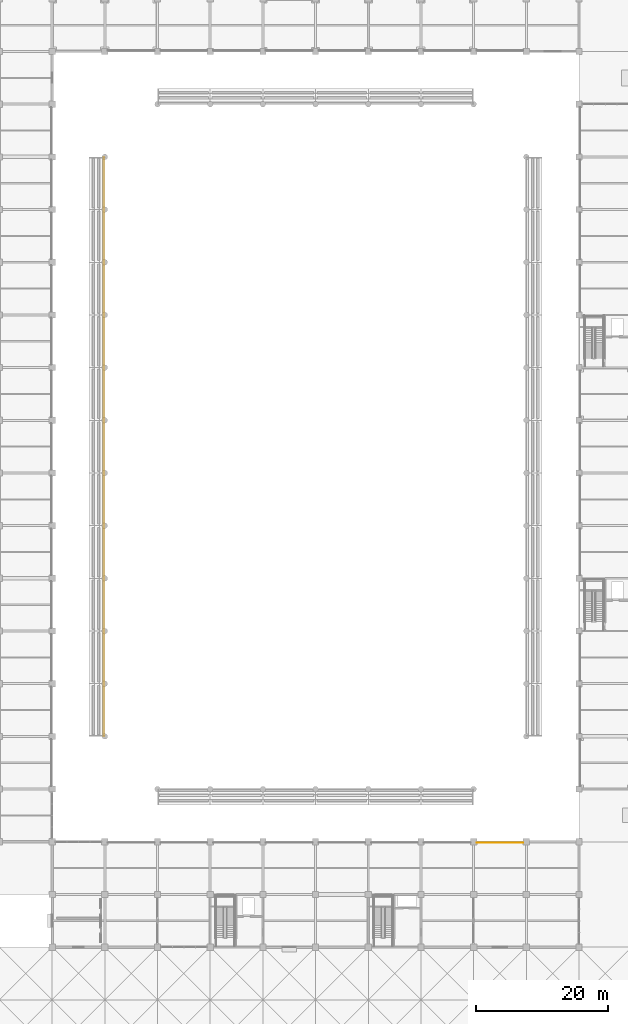
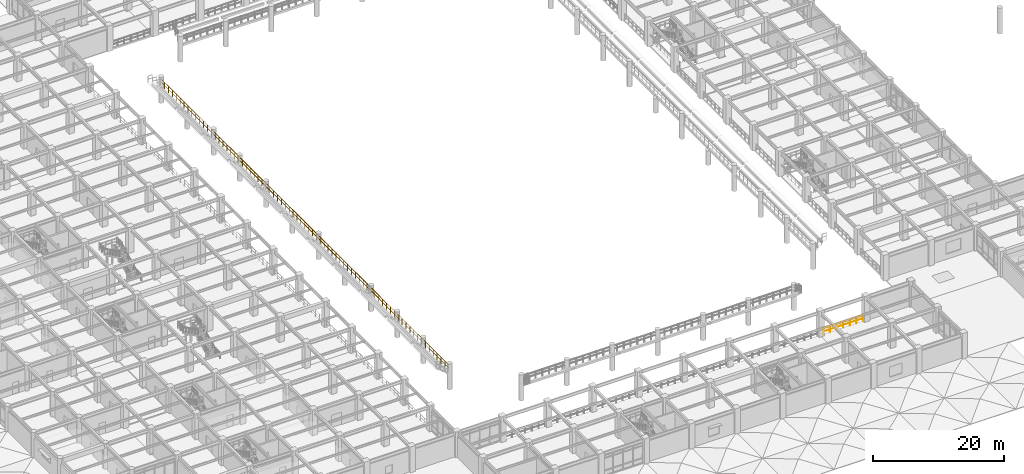
# One storey, part 99 of 109: 2 railings.
"""IFC4 building model written with IfcOpenShell, lengths in metres."""

from ifc_helpers import new_model, si_unit, direction, frame, origin, origin_2d, place, context, subcontext, project, spatial, circle, extrude, material, type_object, element, save


model = new_model("IFC4")

# Units and contexts
model_context = context("Model", 3, precision=1e-05, world=origin(), true_north=direction((0.0, 1.0)))
body_context = subcontext(model_context, "Body", "Model", "MODEL_VIEW")
ifc_project = project(units=[si_unit("LENGTHUNIT", "METRE"), si_unit("AREAUNIT", "SQUARE_METRE"), si_unit("VOLUMEUNIT", "CUBIC_METRE"), si_unit("PLANEANGLEUNIT", "RADIAN"), si_unit("MASSUNIT", "GRAM", prefix="KILO")], contexts=[model_context])

# Site, building, storey
site_placement = place(None, origin())
site = spatial("IfcSite", under=ifc_project, at=site_placement, CompositionType="ELEMENT")
building_placement = place(site_placement, origin())
building = spatial("IfcBuilding", under=site, at=building_placement, Name="Haebicheon Civic Stadium", CompositionType="ELEMENT")
storey_placement = place(building_placement, frame((0.0, 0.0, 9.60009765625)))
storey = spatial("IfcBuildingStorey", under=building, at=storey_placement, Name="L03", CompositionType="ELEMENT", Elevation=9.60009765625)

# Railings
ifc_material = material(Name="Stainless steel 316 and laminated glass", Category="steel")
railing_type = type_object("IfcRailingType", Name="RL-BAL-1200", PredefinedType="BALUSTRADE", material=ifc_material)
railing_1_placement = place(storey_placement, frame((128.47509765625, 31.860107421875, 0.0)))
element("IfcRailing", 1, at=railing_1_placement, inside=storey, type_object=railing_type, material=ifc_material, Name="L03 concourse bowl-edge balustrade 069", PredefinedType="BALUSTRADE", context=body_context, shape_type="SweptSolid", body=[
    extrude(circle(Radius=0.02392578125, at=origin_2d()), frame((0.0, 0.0, 1.17578125), z_axis=(1.0, 0.0, 0.0), x_axis=(0.0, 1.0, 0.0)), (0.0, 0.0, 1.0), 7.0498046875),
    extrude(circle(Radius=0.02392578125, at=origin_2d()), frame((0.0, 0.0, 0.60009765625), z_axis=(1.0, 0.0, 0.0), x_axis=(0.0, 1.0, 0.0)), (0.0, 0.0, 1.0), 7.0498046875),
    extrude(circle(Radius=0.02099609375, at=origin_2d()), origin(), (0.0, 0.0, 1.0), 1.15185546875),
    extrude(circle(Radius=0.02099609375, at=origin_2d()), frame((1.175048828125, 0.0, 0.0)), (0.0, 0.0, 1.0), 1.15185546875),
    extrude(circle(Radius=0.02099609375, at=origin_2d()), frame((2.349853515625, 0.0, 0.0)), (0.0, 0.0, 1.0), 1.15185546875),
    extrude(circle(Radius=0.02099609375, at=origin_2d()), frame((3.52490234375, 0.0, 0.0)), (0.0, 0.0, 1.0), 1.15185546875),
    extrude(circle(Radius=0.02099609375, at=origin_2d()), frame((4.699951171875, 0.0, 0.0)), (0.0, 0.0, 1.0), 1.15185546875),
    extrude(circle(Radius=0.02099609375, at=origin_2d()), frame((5.874755859375, 0.0, 0.0)), (0.0, 0.0, 1.0), 1.15185546875),
    extrude(circle(Radius=0.02099609375, at=origin_2d()), frame((7.0498046875, 0.0, 0.0)), (0.0, 0.0, 1.0), 1.15185546875),
])
railing_2_placement = place(storey_placement, frame((71.8798828125, 48.06005859375, 3.199951171875)))
element("IfcRailing", 2, at=railing_2_placement, inside=storey, type_object=railing_type, material=ifc_material, Name="TIER-W-U pitchside sightline balustrade", PredefinedType="BALUSTRADE", context=body_context, shape_type="SweptSolid", body=[
    extrude(circle(Radius=0.02392578125, at=origin_2d()), frame((0.0, 0.0, 1.17578125), z_axis=(0.0, 1.0, 0.0), x_axis=(-1.0, 0.0, 0.0)), (0.0, 0.0, 1.0), 87.8798828125),
    extrude(circle(Radius=0.02392578125, at=origin_2d()), frame((0.0, 0.0, 0.60009765625), z_axis=(0.0, 1.0, 0.0), x_axis=(-1.0, 0.0, 0.0)), (0.0, 0.0, 1.0), 87.8798828125),
    extrude(circle(Radius=0.02099609375, at=origin_2d()), origin(), (0.0, 0.0, 1.0), 1.15185546875),
    extrude(circle(Radius=0.02099609375, at=origin_2d()), frame((0.0, 1.1875, 0.0)), (0.0, 0.0, 1.0), 1.15185546875),
    extrude(circle(Radius=0.02099609375, at=origin_2d()), frame((0.0, 2.375244140625, 0.0)), (0.0, 0.0, 1.0), 1.15185546875),
    extrude(circle(Radius=0.02099609375, at=origin_2d()), frame((0.0, 3.562744140625, 0.0)), (0.0, 0.0, 1.0), 1.15185546875),
    extrude(circle(Radius=0.02099609375, at=origin_2d()), frame((0.0, 4.750244140625, 0.0)), (0.0, 0.0, 1.0), 1.15185546875),
    extrude(circle(Radius=0.02099609375, at=origin_2d()), frame((0.0, 5.937744140625, 0.0)), (0.0, 0.0, 1.0), 1.15185546875),
    extrude(circle(Radius=0.02099609375, at=origin_2d()), frame((0.0, 7.12548828125, 0.0)), (0.0, 0.0, 1.0), 1.15185546875),
    extrude(circle(Radius=0.02099609375, at=origin_2d()), frame((0.0, 8.31298828125, 0.0)), (0.0, 0.0, 1.0), 1.15185546875),
    extrude(circle(Radius=0.02099609375, at=origin_2d()), frame((0.0, 9.50048828125, 0.0)), (0.0, 0.0, 1.0), 1.15185546875),
    extrude(circle(Radius=0.02099609375, at=origin_2d()), frame((0.0, 10.68798828125, 0.0)), (0.0, 0.0, 1.0), 1.15185546875),
    extrude(circle(Radius=0.02099609375, at=origin_2d()), frame((0.0, 11.875732421875, 0.0)), (0.0, 0.0, 1.0), 1.15185546875),
    extrude(circle(Radius=0.02099609375, at=origin_2d()), frame((0.0, 13.063232421875, 0.0)), (0.0, 0.0, 1.0), 1.15185546875),
    extrude(circle(Radius=0.02099609375, at=origin_2d()), frame((0.0, 14.250732421875, 0.0)), (0.0, 0.0, 1.0), 1.15185546875),
    extrude(circle(Radius=0.02099609375, at=origin_2d()), frame((0.0, 15.4384765625, 0.0)), (0.0, 0.0, 1.0), 1.15185546875),
    extrude(circle(Radius=0.02099609375, at=origin_2d()), frame((0.0, 16.6259765625, 0.0)), (0.0, 0.0, 1.0), 1.15185546875),
    extrude(circle(Radius=0.02099609375, at=origin_2d()), frame((0.0, 17.8134765625, 0.0)), (0.0, 0.0, 1.0), 1.15185546875),
    extrude(circle(Radius=0.02099609375, at=origin_2d()), frame((0.0, 19.0009765625, 0.0)), (0.0, 0.0, 1.0), 1.15185546875),
    extrude(circle(Radius=0.02099609375, at=origin_2d()), frame((0.0, 20.188720703125, 0.0)), (0.0, 0.0, 1.0), 1.15185546875),
    extrude(circle(Radius=0.02099609375, at=origin_2d()), frame((0.0, 21.376220703125, 0.0)), (0.0, 0.0, 1.0), 1.15185546875),
    extrude(circle(Radius=0.02099609375, at=origin_2d()), frame((0.0, 22.563720703125, 0.0)), (0.0, 0.0, 1.0), 1.15185546875),
    extrude(circle(Radius=0.02099609375, at=origin_2d()), frame((0.0, 23.751220703125, 0.0)), (0.0, 0.0, 1.0), 1.15185546875),
    extrude(circle(Radius=0.02099609375, at=origin_2d()), frame((0.0, 24.93896484375, 0.0)), (0.0, 0.0, 1.0), 1.15185546875),
    extrude(circle(Radius=0.02099609375, at=origin_2d()), frame((0.0, 26.12646484375, 0.0)), (0.0, 0.0, 1.0), 1.15185546875),
    extrude(circle(Radius=0.02099609375, at=origin_2d()), frame((0.0, 27.31396484375, 0.0)), (0.0, 0.0, 1.0), 1.15185546875),
    extrude(circle(Radius=0.02099609375, at=origin_2d()), frame((0.0, 28.50146484375, 0.0)), (0.0, 0.0, 1.0), 1.15185546875),
    extrude(circle(Radius=0.02099609375, at=origin_2d()), frame((0.0, 29.689208984375, 0.0)), (0.0, 0.0, 1.0), 1.15185546875),
    extrude(circle(Radius=0.02099609375, at=origin_2d()), frame((0.0, 30.876708984375, 0.0)), (0.0, 0.0, 1.0), 1.15185546875),
    extrude(circle(Radius=0.02099609375, at=origin_2d()), frame((0.0, 32.064208984375, 0.0)), (0.0, 0.0, 1.0), 1.15185546875),
    extrude(circle(Radius=0.02099609375, at=origin_2d()), frame((0.0, 33.251953125, 0.0)), (0.0, 0.0, 1.0), 1.15185546875),
    extrude(circle(Radius=0.02099609375, at=origin_2d()), frame((0.0, 34.439453125, 0.0)), (0.0, 0.0, 1.0), 1.15185546875),
    extrude(circle(Radius=0.02099609375, at=origin_2d()), frame((0.0, 35.626953125, 0.0)), (0.0, 0.0, 1.0), 1.15185546875),
    extrude(circle(Radius=0.02099609375, at=origin_2d()), frame((0.0, 36.814453125, 0.0)), (0.0, 0.0, 1.0), 1.15185546875),
    extrude(circle(Radius=0.02099609375, at=origin_2d()), frame((0.0, 38.002197265625, 0.0)), (0.0, 0.0, 1.0), 1.15185546875),
    extrude(circle(Radius=0.02099609375, at=origin_2d()), frame((0.0, 39.189697265625, 0.0)), (0.0, 0.0, 1.0), 1.15185546875),
    extrude(circle(Radius=0.02099609375, at=origin_2d()), frame((0.0, 40.377197265625, 0.0)), (0.0, 0.0, 1.0), 1.15185546875),
    extrude(circle(Radius=0.02099609375, at=origin_2d()), frame((0.0, 41.564697265625, 0.0)), (0.0, 0.0, 1.0), 1.15185546875),
    extrude(circle(Radius=0.02099609375, at=origin_2d()), frame((0.0, 42.75244140625, 0.0)), (0.0, 0.0, 1.0), 1.15185546875),
    extrude(circle(Radius=0.02099609375, at=origin_2d()), frame((0.0, 43.93994140625, 0.0)), (0.0, 0.0, 1.0), 1.15185546875),
    extrude(circle(Radius=0.02099609375, at=origin_2d()), frame((0.0, 45.12744140625, 0.0)), (0.0, 0.0, 1.0), 1.15185546875),
    extrude(circle(Radius=0.02099609375, at=origin_2d()), frame((0.0, 46.315185546875, 0.0)), (0.0, 0.0, 1.0), 1.15185546875),
    extrude(circle(Radius=0.02099609375, at=origin_2d()), frame((0.0, 47.502685546875, 0.0)), (0.0, 0.0, 1.0), 1.15185546875),
    extrude(circle(Radius=0.02099609375, at=origin_2d()), frame((0.0, 48.690185546875, 0.0)), (0.0, 0.0, 1.0), 1.15185546875),
    extrude(circle(Radius=0.02099609375, at=origin_2d()), frame((0.0, 49.877685546875, 0.0)), (0.0, 0.0, 1.0), 1.15185546875),
    extrude(circle(Radius=0.02099609375, at=origin_2d()), frame((0.0, 51.0654296875, 0.0)), (0.0, 0.0, 1.0), 1.15185546875),
    extrude(circle(Radius=0.02099609375, at=origin_2d()), frame((0.0, 52.2529296875, 0.0)), (0.0, 0.0, 1.0), 1.15185546875),
    extrude(circle(Radius=0.02099609375, at=origin_2d()), frame((0.0, 53.4404296875, 0.0)), (0.0, 0.0, 1.0), 1.15185546875),
    extrude(circle(Radius=0.02099609375, at=origin_2d()), frame((0.0, 54.6279296875, 0.0)), (0.0, 0.0, 1.0), 1.15185546875),
    extrude(circle(Radius=0.02099609375, at=origin_2d()), frame((0.0, 55.815673828125, 0.0)), (0.0, 0.0, 1.0), 1.15185546875),
    extrude(circle(Radius=0.02099609375, at=origin_2d()), frame((0.0, 57.003173828125, 0.0)), (0.0, 0.0, 1.0), 1.15185546875),
    extrude(circle(Radius=0.02099609375, at=origin_2d()), frame((0.0, 58.190673828125, 0.0)), (0.0, 0.0, 1.0), 1.15185546875),
    extrude(circle(Radius=0.02099609375, at=origin_2d()), frame((0.0, 59.37841796875, 0.0)), (0.0, 0.0, 1.0), 1.15185546875),
    extrude(circle(Radius=0.02099609375, at=origin_2d()), frame((0.0, 60.56591796875, 0.0)), (0.0, 0.0, 1.0), 1.15185546875),
    extrude(circle(Radius=0.02099609375, at=origin_2d()), frame((0.0, 61.75341796875, 0.0)), (0.0, 0.0, 1.0), 1.15185546875),
    extrude(circle(Radius=0.02099609375, at=origin_2d()), frame((0.0, 62.94091796875, 0.0)), (0.0, 0.0, 1.0), 1.15185546875),
    extrude(circle(Radius=0.02099609375, at=origin_2d()), frame((0.0, 64.128662109375, 0.0)), (0.0, 0.0, 1.0), 1.15185546875),
    extrude(circle(Radius=0.02099609375, at=origin_2d()), frame((0.0, 65.316162109375, 0.0)), (0.0, 0.0, 1.0), 1.15185546875),
    extrude(circle(Radius=0.02099609375, at=origin_2d()), frame((0.0, 66.503662109375, 0.0)), (0.0, 0.0, 1.0), 1.15185546875),
    extrude(circle(Radius=0.02099609375, at=origin_2d()), frame((0.0, 67.691162109375, 0.0)), (0.0, 0.0, 1.0), 1.15185546875),
    extrude(circle(Radius=0.02099609375, at=origin_2d()), frame((0.0, 68.87890625, 0.0)), (0.0, 0.0, 1.0), 1.15185546875),
    extrude(circle(Radius=0.02099609375, at=origin_2d()), frame((0.0, 70.06640625, 0.0)), (0.0, 0.0, 1.0), 1.15185546875),
    extrude(circle(Radius=0.02099609375, at=origin_2d()), frame((0.0, 71.25390625, 0.0)), (0.0, 0.0, 1.0), 1.15185546875),
    extrude(circle(Radius=0.02099609375, at=origin_2d()), frame((0.0, 72.44140625, 0.0)), (0.0, 0.0, 1.0), 1.15185546875),
    extrude(circle(Radius=0.02099609375, at=origin_2d()), frame((0.0, 73.629150390625, 0.0)), (0.0, 0.0, 1.0), 1.15185546875),
    extrude(circle(Radius=0.02099609375, at=origin_2d()), frame((0.0, 74.816650390625, 0.0)), (0.0, 0.0, 1.0), 1.15185546875),
    extrude(circle(Radius=0.02099609375, at=origin_2d()), frame((0.0, 76.004150390625, 0.0)), (0.0, 0.0, 1.0), 1.15185546875),
    extrude(circle(Radius=0.02099609375, at=origin_2d()), frame((0.0, 77.19189453125, 0.0)), (0.0, 0.0, 1.0), 1.15185546875),
    extrude(circle(Radius=0.02099609375, at=origin_2d()), frame((0.0, 78.37939453125, 0.0)), (0.0, 0.0, 1.0), 1.15185546875),
    extrude(circle(Radius=0.02099609375, at=origin_2d()), frame((0.0, 79.56689453125, 0.0)), (0.0, 0.0, 1.0), 1.15185546875),
    extrude(circle(Radius=0.02099609375, at=origin_2d()), frame((0.0, 80.75439453125, 0.0)), (0.0, 0.0, 1.0), 1.15185546875),
    extrude(circle(Radius=0.02099609375, at=origin_2d()), frame((0.0, 81.942138671875, 0.0)), (0.0, 0.0, 1.0), 1.15185546875),
    extrude(circle(Radius=0.02099609375, at=origin_2d()), frame((0.0, 83.129638671875, 0.0)), (0.0, 0.0, 1.0), 1.15185546875),
    extrude(circle(Radius=0.02099609375, at=origin_2d()), frame((0.0, 84.317138671875, 0.0)), (0.0, 0.0, 1.0), 1.15185546875),
    extrude(circle(Radius=0.02099609375, at=origin_2d()), frame((0.0, 85.504638671875, 0.0)), (0.0, 0.0, 1.0), 1.15185546875),
    extrude(circle(Radius=0.02099609375, at=origin_2d()), frame((0.0, 86.6923828125, 0.0)), (0.0, 0.0, 1.0), 1.15185546875),
    extrude(circle(Radius=0.02099609375, at=origin_2d()), frame((0.0, 87.8798828125, 0.0)), (0.0, 0.0, 1.0), 1.15185546875),
])

save(model, "model.ifc")
